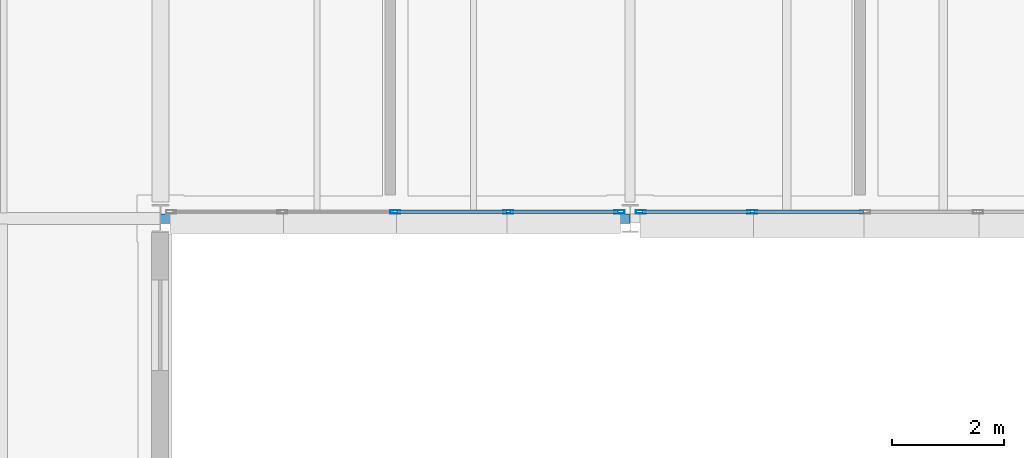
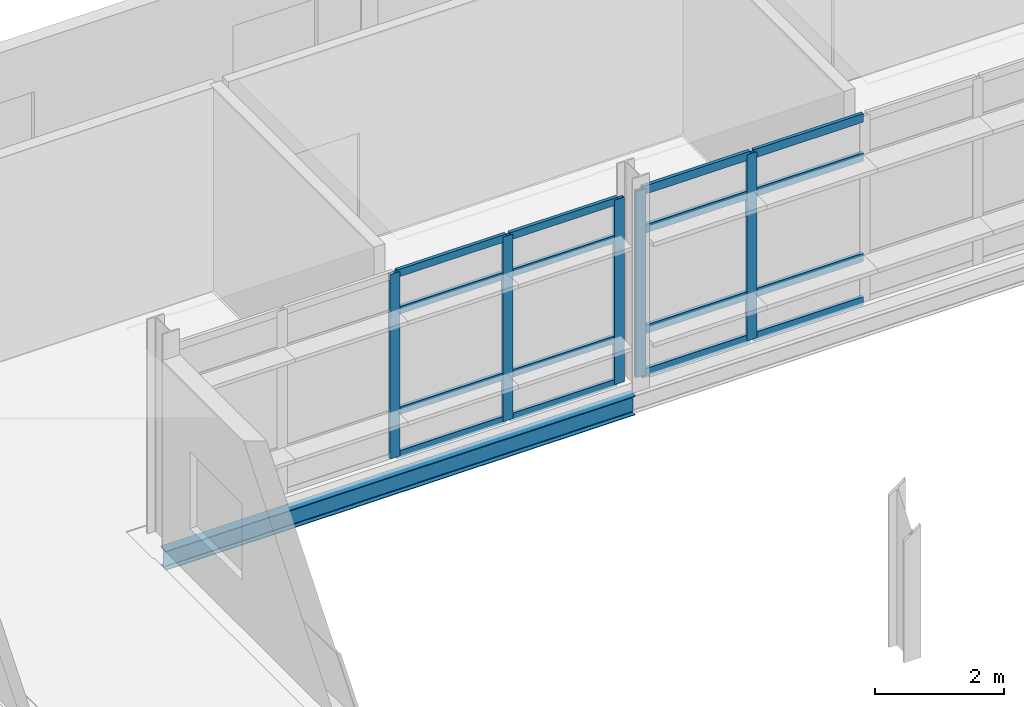
# One storey, part 84 of 151: 21 members, 1 beam, 2 elements without a shape of their own.
"""IFC4 building model written with IfcOpenShell, lengths in metres."""

from ifc_helpers import new_model, si_unit, direction, frame, origin, origin_2d, place, context, subcontext, project, spatial, hollow_rectangle, i_section, extrude, material, material_profile, profile_set, type_object, element, aggregate, save


model = new_model("IFC4")

# Units and contexts
model_context = context("Model", 3, precision=1e-05, world=origin(), true_north=direction((0.0, 1.0)))
body_context = subcontext(model_context, "Body", "Model", "MODEL_VIEW")
ifc_project = project(units=[si_unit("LENGTHUNIT", "METRE"), si_unit("AREAUNIT", "SQUARE_METRE"), si_unit("VOLUMEUNIT", "CUBIC_METRE"), si_unit("PLANEANGLEUNIT", "RADIAN"), si_unit("MASSUNIT", "GRAM", prefix="KILO")], contexts=[model_context])

# Site, building, storey
site_placement = place(None, origin())
site = spatial("IfcSite", under=ifc_project, at=site_placement, CompositionType="ELEMENT")
building_placement = place(site_placement, origin())
building = spatial("IfcBuilding", under=site, at=building_placement, Name="Mersafa Astral City Hall", CompositionType="ELEMENT")
storey_placement = place(building_placement, frame((0.0, 0.0, 9.89990234375)))
storey = spatial("IfcBuildingStorey", under=building, at=storey_placement, Name="L02", CompositionType="ELEMENT", Elevation=9.89990234375)

# Curtain wall, members
ifc_material_1 = material(Name="Anodised bronze aluminium framing", Category="aluminium")
curtain_wall_type_1 = type_object("IfcCurtainWallType", Name="ENV-CW-4", PredefinedType="USERDEFINED", material=ifc_material_1)
curtain_wall_1_placement = place(storey_placement, origin())
curtain_wall_1 = element("IfcCurtainWall", 1, at=curtain_wall_1_placement, inside=storey, type_object=curtain_wall_type_1, Name="L02 Unitised solar curtain wall 117", ObjectType="UNITISED CURTAIN WALL", PredefinedType="USERDEFINED")
ifc_material_profile_1 = material_profile(ifc_material_1, hollow_rectangle(XDim=0.06005859375, YDim=0.179931640625, WallThickness=0.00390625, at=origin_2d()), Name="RHS 60x180x4")
ifc_profile_set_1 = profile_set([ifc_material_profile_1], Name="Anodised bronze aluminium framing")
member_type_1 = type_object("IfcMemberType", Name="ENV-CW-MUL-1", PredefinedType="MULLION", material=ifc_profile_set_1)
member_1_placement = place(storey_placement, frame((121.800048828125, 117.719970703125, -0.001953125), z_axis=(0.0, 0.0, 1.0), x_axis=(0.0, 1.0, 0.0)))
member_1 = element("IfcMember", 2, at=member_1_placement, type_object=member_type_1, Name="CW-4 mullion 3", PredefinedType="MULLION", context=body_context, shape_type="SweptSolid", body=[
    extrude(hollow_rectangle(XDim=0.06005859375, YDim=0.179931640625, WallThickness=0.00390625, at=origin_2d()), origin(), (0.0, 0.0, 1.0), 3.489013671875),
])
member_2_placement = place(storey_placement, frame((123.819091796875, 117.719970703125, -0.001953125), z_axis=(0.0, 0.0, 1.0), x_axis=(0.0, 1.0, 0.0)))
member_2 = element("IfcMember", 3, at=member_2_placement, type_object=member_type_1, Name="CW-4 mullion 4", PredefinedType="MULLION", context=body_context, shape_type="SweptSolid", body=[
    extrude(hollow_rectangle(XDim=0.06005859375, YDim=0.179931640625, WallThickness=0.00390625, at=origin_2d()), origin(), (0.0, 0.0, 1.0), 3.489013671875),
])
member_3_placement = place(storey_placement, frame((125.80810546875, 117.719970703125, -0.001953125), z_axis=(0.0, 0.0, 1.0), x_axis=(0.0, 1.0, 0.0)))
member_3 = element("IfcMember", 4, at=member_3_placement, type_object=member_type_1, Name="CW-4 mullion 5", PredefinedType="MULLION", context=body_context, shape_type="SweptSolid", body=[
    extrude(hollow_rectangle(XDim=0.06005859375, YDim=0.179931640625, WallThickness=0.00390625, at=origin_2d()), origin(), (0.0, 0.0, 1.0), 3.489013671875),
])

curtain_wall_type_2 = type_object("IfcCurtainWallType", Name="ENV-CW-5", PredefinedType="USERDEFINED", material=ifc_material_1)
curtain_wall_2_placement = place(storey_placement, origin())
curtain_wall_2 = element("IfcCurtainWall", 5, at=curtain_wall_2_placement, inside=storey, type_object=curtain_wall_type_2, Name="L02 Unitised solar curtain wall 118", ObjectType="UNITISED CURTAIN WALL", PredefinedType="USERDEFINED")
member_4_placement = place(storey_placement, frame((126.19189453125, 117.719970703125, -0.001953125), z_axis=(0.0, 0.0, 1.0), x_axis=(0.0, 1.0, 0.0)))
member_4 = element("IfcMember", 6, at=member_4_placement, type_object=member_type_1, Name="CW-5 mullion 1", PredefinedType="MULLION", context=body_context, shape_type="SweptSolid", body=[
    extrude(hollow_rectangle(XDim=0.06005859375, YDim=0.179931640625, WallThickness=0.00390625, at=origin_2d()), origin(), (0.0, 0.0, 1.0), 3.51904296875),
])
member_5_placement = place(storey_placement, frame((128.180908203125, 117.719970703125, -0.001953125), z_axis=(0.0, 0.0, 1.0), x_axis=(0.0, 1.0, 0.0)))
member_5 = element("IfcMember", 7, at=member_5_placement, type_object=member_type_1, Name="CW-5 mullion 2", PredefinedType="MULLION", context=body_context, shape_type="SweptSolid", body=[
    extrude(hollow_rectangle(XDim=0.06005859375, YDim=0.179931640625, WallThickness=0.00390625, at=origin_2d()), origin(), (0.0, 0.0, 1.0), 3.51904296875),
])

# Member
ifc_material_profile_2 = material_profile(ifc_material_1, hollow_rectangle(XDim=0.06005859375, YDim=0.139892578125, WallThickness=0.00390625, at=origin_2d()), Name="RHS 60x140x4")
ifc_profile_set_2 = profile_set([ifc_material_profile_2], Name="Anodised bronze aluminium framing")
member_type_2 = type_object("IfcMemberType", Name="ENV-CW-TRN-1", PredefinedType="USERDEFINED", material=ifc_profile_set_2)
member_6_placement = place(storey_placement, frame((121.830078125, 117.719970703125, 0.028076171875), z_axis=(1.0, 0.0, 0.0), x_axis=(0.0, 1.0, 0.0)))
member_6 = element("IfcMember", 8, at=member_6_placement, type_object=member_type_2, Name="CW-4 transom 3.1", ObjectType="TRANSOM", PredefinedType="USERDEFINED", context=body_context, shape_type="SweptSolid", body=[
    extrude(hollow_rectangle(XDim=0.06005859375, YDim=0.139892578125, WallThickness=0.00390625, at=origin_2d()), origin(), (0.0, 0.0, 1.0), 1.958984375),
])

member_7_placement = place(storey_placement, frame((121.830078125, 117.719970703125, 0.85009765625), z_axis=(1.0, 0.0, 0.0), x_axis=(0.0, 1.0, 0.0)))
member_7 = element("IfcMember", 9, at=member_7_placement, type_object=member_type_2, Name="CW-4 transom 3.2", ObjectType="TRANSOM", PredefinedType="USERDEFINED", context=body_context, shape_type="SweptSolid", body=[
    extrude(hollow_rectangle(XDim=0.06005859375, YDim=0.139892578125, WallThickness=0.00390625, at=origin_2d()), origin(), (0.0, 0.0, 1.0), 1.958984375),
])

member_8_placement = place(storey_placement, frame((121.830078125, 117.719970703125, 2.75), z_axis=(1.0, 0.0, 0.0), x_axis=(0.0, 1.0, 0.0)))
member_8 = element("IfcMember", 10, at=member_8_placement, type_object=member_type_2, Name="CW-4 transom 3.3", ObjectType="TRANSOM", PredefinedType="USERDEFINED", context=body_context, shape_type="SweptSolid", body=[
    extrude(hollow_rectangle(XDim=0.06005859375, YDim=0.139892578125, WallThickness=0.00390625, at=origin_2d()), origin(), (0.0, 0.0, 1.0), 1.958984375),
])

member_9_placement = place(storey_placement, frame((121.830078125, 117.719970703125, 3.45703125), z_axis=(1.0, 0.0, 0.0), x_axis=(0.0, 1.0, 0.0)))
member_9 = element("IfcMember", 11, at=member_9_placement, type_object=member_type_2, Name="CW-4 transom 3.4", ObjectType="TRANSOM", PredefinedType="USERDEFINED", context=body_context, shape_type="SweptSolid", body=[
    extrude(hollow_rectangle(XDim=0.06005859375, YDim=0.139892578125, WallThickness=0.00390625, at=origin_2d()), origin(), (0.0, 0.0, 1.0), 1.958984375),
])

member_10_placement = place(storey_placement, frame((123.84912109375, 117.719970703125, 0.028076171875), z_axis=(1.0, 0.0, 0.0), x_axis=(0.0, 1.0, 0.0)))
member_10 = element("IfcMember", 12, at=member_10_placement, type_object=member_type_2, Name="CW-4 transom 4.1", ObjectType="TRANSOM", PredefinedType="USERDEFINED", context=body_context, shape_type="SweptSolid", body=[
    extrude(hollow_rectangle(XDim=0.06005859375, YDim=0.139892578125, WallThickness=0.00390625, at=origin_2d()), origin(), (0.0, 0.0, 1.0), 1.928955078125),
])

member_11_placement = place(storey_placement, frame((123.84912109375, 117.719970703125, 0.85009765625), z_axis=(1.0, 0.0, 0.0), x_axis=(0.0, 1.0, 0.0)))
member_11 = element("IfcMember", 13, at=member_11_placement, type_object=member_type_2, Name="CW-4 transom 4.2", ObjectType="TRANSOM", PredefinedType="USERDEFINED", context=body_context, shape_type="SweptSolid", body=[
    extrude(hollow_rectangle(XDim=0.06005859375, YDim=0.139892578125, WallThickness=0.00390625, at=origin_2d()), origin(), (0.0, 0.0, 1.0), 1.928955078125),
])

member_12_placement = place(storey_placement, frame((123.84912109375, 117.719970703125, 2.75), z_axis=(1.0, 0.0, 0.0), x_axis=(0.0, 1.0, 0.0)))
member_12 = element("IfcMember", 14, at=member_12_placement, type_object=member_type_2, Name="CW-4 transom 4.3", ObjectType="TRANSOM", PredefinedType="USERDEFINED", context=body_context, shape_type="SweptSolid", body=[
    extrude(hollow_rectangle(XDim=0.06005859375, YDim=0.139892578125, WallThickness=0.00390625, at=origin_2d()), origin(), (0.0, 0.0, 1.0), 1.928955078125),
])

member_13_placement = place(storey_placement, frame((123.84912109375, 117.719970703125, 3.45703125), z_axis=(1.0, 0.0, 0.0), x_axis=(0.0, 1.0, 0.0)))
member_13 = element("IfcMember", 15, at=member_13_placement, type_object=member_type_2, Name="CW-4 transom 4.4", ObjectType="TRANSOM", PredefinedType="USERDEFINED", context=body_context, shape_type="SweptSolid", body=[
    extrude(hollow_rectangle(XDim=0.06005859375, YDim=0.139892578125, WallThickness=0.00390625, at=origin_2d()), origin(), (0.0, 0.0, 1.0), 1.928955078125),
])

aggregate(curtain_wall_1, [member_1, member_2, member_3, member_6, member_7, member_8, member_9, member_10, member_11, member_12, member_13])

ifc_material_profile_3 = material_profile(ifc_material_1, hollow_rectangle(XDim=0.06005859375, YDim=0.159912109375, WallThickness=0.00390625, at=origin_2d()), Name="RHS 60x160x4")
ifc_profile_set_3 = profile_set([ifc_material_profile_3], Name="Anodised bronze aluminium framing")
member_type_3 = type_object("IfcMemberType", Name="ENV-CW-TRN-2", PredefinedType="USERDEFINED", material=ifc_profile_set_3)
member_14_placement = place(storey_placement, frame((126.221923828125, 117.719970703125, 0.028076171875), z_axis=(1.0, 0.0, 0.0), x_axis=(0.0, 1.0, 0.0)))
member_14 = element("IfcMember", 16, at=member_14_placement, type_object=member_type_3, Name="CW-5 transom 1.1", ObjectType="TRANSOM", PredefinedType="USERDEFINED", context=body_context, shape_type="SweptSolid", body=[
    extrude(hollow_rectangle(XDim=0.06005859375, YDim=0.159912109375, WallThickness=0.00390625, at=origin_2d()), origin(), (0.0, 0.0, 1.0), 1.928955078125),
])

member_15_placement = place(storey_placement, frame((126.221923828125, 117.719970703125, 0.85009765625), z_axis=(1.0, 0.0, 0.0), x_axis=(0.0, 1.0, 0.0)))
member_15 = element("IfcMember", 17, at=member_15_placement, type_object=member_type_3, Name="CW-5 transom 1.2", ObjectType="TRANSOM", PredefinedType="USERDEFINED", context=body_context, shape_type="SweptSolid", body=[
    extrude(hollow_rectangle(XDim=0.06005859375, YDim=0.159912109375, WallThickness=0.00390625, at=origin_2d()), origin(), (0.0, 0.0, 1.0), 1.928955078125),
])

member_16_placement = place(storey_placement, frame((126.221923828125, 117.719970703125, 2.75), z_axis=(1.0, 0.0, 0.0), x_axis=(0.0, 1.0, 0.0)))
member_16 = element("IfcMember", 18, at=member_16_placement, type_object=member_type_3, Name="CW-5 transom 1.3", ObjectType="TRANSOM", PredefinedType="USERDEFINED", context=body_context, shape_type="SweptSolid", body=[
    extrude(hollow_rectangle(XDim=0.06005859375, YDim=0.159912109375, WallThickness=0.00390625, at=origin_2d()), origin(), (0.0, 0.0, 1.0), 1.928955078125),
])

member_17_placement = place(storey_placement, frame((126.221923828125, 117.719970703125, 3.487060546875), z_axis=(1.0, 0.0, 0.0), x_axis=(0.0, 1.0, 0.0)))
member_17 = element("IfcMember", 19, at=member_17_placement, type_object=member_type_3, Name="CW-5 transom 1.4", ObjectType="TRANSOM", PredefinedType="USERDEFINED", context=body_context, shape_type="SweptSolid", body=[
    extrude(hollow_rectangle(XDim=0.06005859375, YDim=0.159912109375, WallThickness=0.00390625, at=origin_2d()), origin(), (0.0, 0.0, 1.0), 1.928955078125),
])

member_18_placement = place(storey_placement, frame((128.2109375, 117.719970703125, 0.028076171875), z_axis=(1.0, 0.0, 0.0), x_axis=(0.0, 1.0, 0.0)))
member_18 = element("IfcMember", 20, at=member_18_placement, type_object=member_type_3, Name="CW-5 transom 2.1", ObjectType="TRANSOM", PredefinedType="USERDEFINED", context=body_context, shape_type="SweptSolid", body=[
    extrude(hollow_rectangle(XDim=0.06005859375, YDim=0.159912109375, WallThickness=0.00390625, at=origin_2d()), origin(), (0.0, 0.0, 1.0), 1.958984375),
])

member_19_placement = place(storey_placement, frame((128.2109375, 117.719970703125, 0.85009765625), z_axis=(1.0, 0.0, 0.0), x_axis=(0.0, 1.0, 0.0)))
member_19 = element("IfcMember", 21, at=member_19_placement, type_object=member_type_3, Name="CW-5 transom 2.2", ObjectType="TRANSOM", PredefinedType="USERDEFINED", context=body_context, shape_type="SweptSolid", body=[
    extrude(hollow_rectangle(XDim=0.06005859375, YDim=0.159912109375, WallThickness=0.00390625, at=origin_2d()), origin(), (0.0, 0.0, 1.0), 1.958984375),
])

member_20_placement = place(storey_placement, frame((128.2109375, 117.719970703125, 2.75), z_axis=(1.0, 0.0, 0.0), x_axis=(0.0, 1.0, 0.0)))
member_20 = element("IfcMember", 22, at=member_20_placement, type_object=member_type_3, Name="CW-5 transom 2.3", ObjectType="TRANSOM", PredefinedType="USERDEFINED", context=body_context, shape_type="SweptSolid", body=[
    extrude(hollow_rectangle(XDim=0.06005859375, YDim=0.159912109375, WallThickness=0.00390625, at=origin_2d()), origin(), (0.0, 0.0, 1.0), 1.958984375),
])

member_21_placement = place(storey_placement, frame((128.2109375, 117.719970703125, 3.487060546875), z_axis=(1.0, 0.0, 0.0), x_axis=(0.0, 1.0, 0.0)))
member_21 = element("IfcMember", 23, at=member_21_placement, type_object=member_type_3, Name="CW-5 transom 2.4", ObjectType="TRANSOM", PredefinedType="USERDEFINED", context=body_context, shape_type="SweptSolid", body=[
    extrude(hollow_rectangle(XDim=0.06005859375, YDim=0.159912109375, WallThickness=0.00390625, at=origin_2d()), origin(), (0.0, 0.0, 1.0), 1.958984375),
])

aggregate(curtain_wall_2, [member_4, member_5, member_14, member_15, member_16, member_17, member_18, member_19, member_20, member_21])

# Beam
ifc_material_2 = material(Name="Steel S355", Category="steel")
ifc_material_profile_4 = material_profile(ifc_material_2, i_section(OverallWidth=0.169921875, OverallDepth=0.360107421875, WebThickness=0.008056640625, FlangeThickness=0.0126953125, FilletRadius=0.01806640625, at=origin_2d()), Name="IPE 360")
ifc_profile_set_4 = profile_set([ifc_material_profile_4], Name="Steel S355")
beam_type = type_object("IfcBeamType", Name="STR-BM-SPANDREL-IPE360", PredefinedType="SPANDREL", material=ifc_profile_set_4)
beam_placement = place(storey_placement, frame((117.60302734375, 117.60009765625, -0.3798828125), z_axis=(1.0, 0.0, 0.0), x_axis=(0.0, 1.0, 0.0)))
element("IfcBeam", 24, at=beam_placement, inside=storey, type_object=beam_type, Name="L02 Primary girder X 14-14", PredefinedType="SPANDREL", context=body_context, shape_type="SweptSolid", body=[
    extrude(i_section(OverallWidth=0.169921875, OverallDepth=0.360107421875, WebThickness=0.008056640625, FlangeThickness=0.0126953125, FilletRadius=0.01806640625, at=origin_2d()), origin(), (0.0, 0.0, 1.0), 8.39404296875),
])

save(model, "model.ifc")
